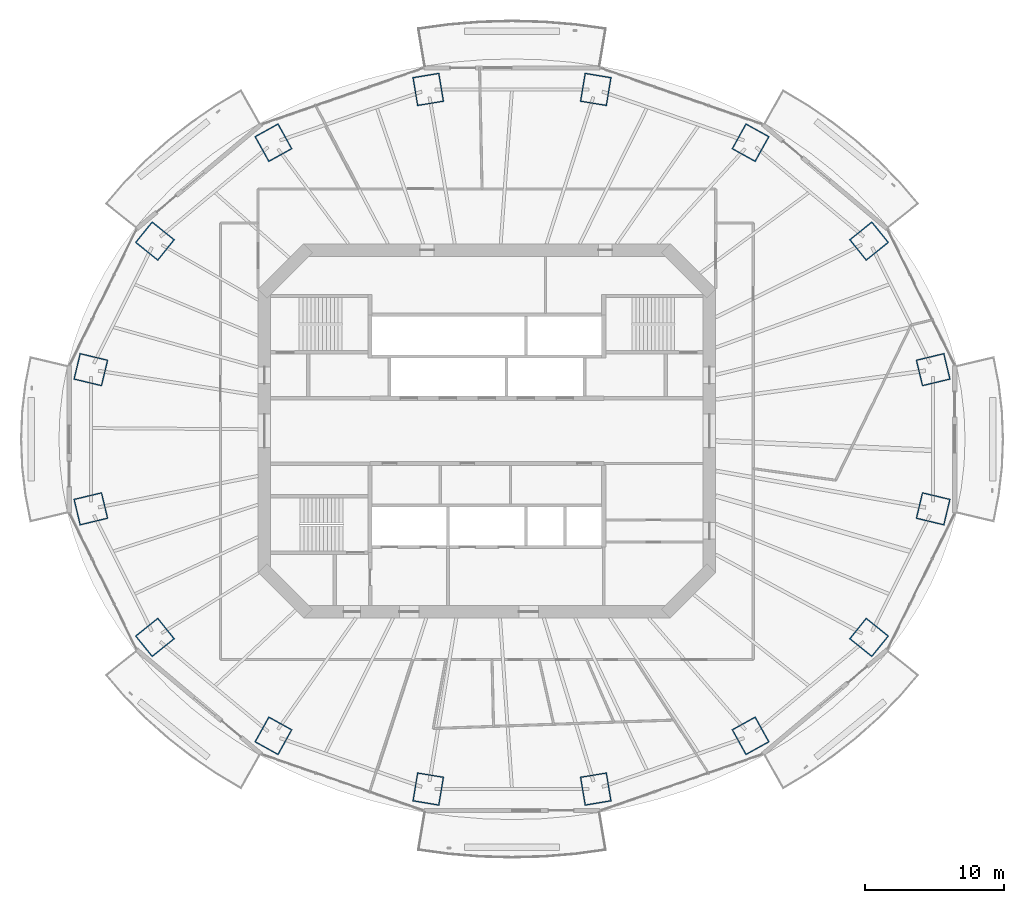
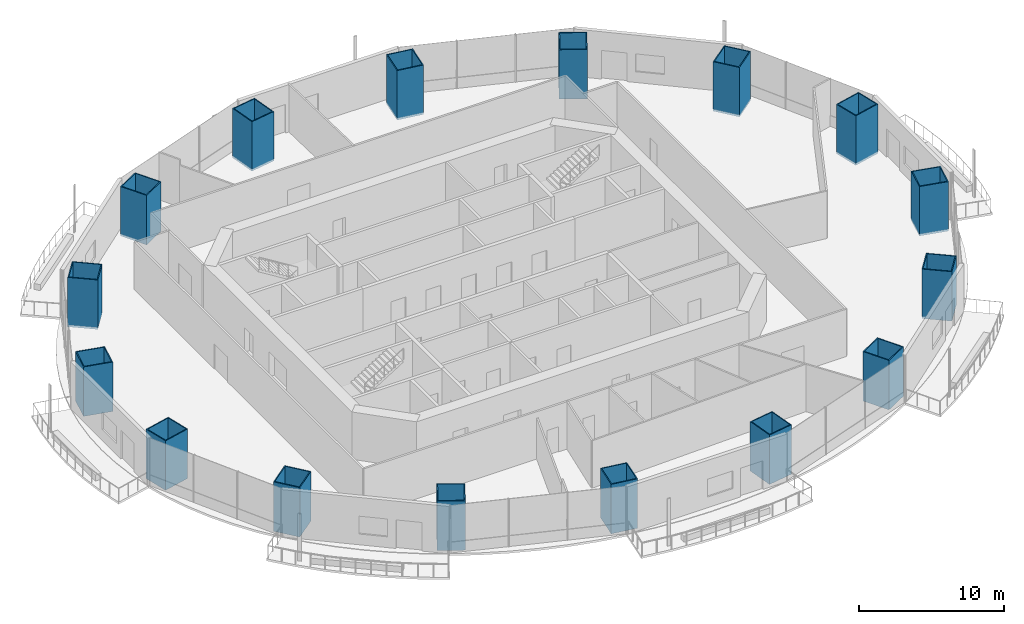
# One storey, part 1 of 20: 16 columns.
"""IFC4 building model written with IfcOpenShell, lengths in metres."""

from ifc_helpers import new_model, si_unit, direction, frame, origin, origin_2d, place, context, subcontext, project, spatial, rectangle, hollow_rectangle, extrude, material, material_profile, profile_set, type_object, element, save


model = new_model("IFC4")

# Units and contexts
model_context = context("Model", 3, precision=1e-05, world=origin(), true_north=direction((0.0, 1.0)))
body_context = subcontext(model_context, "Body", "Model", "MODEL_VIEW")
ifc_project = project(units=[si_unit("LENGTHUNIT", "METRE"), si_unit("AREAUNIT", "SQUARE_METRE"), si_unit("VOLUMEUNIT", "CUBIC_METRE"), si_unit("PLANEANGLEUNIT", "RADIAN"), si_unit("MASSUNIT", "GRAM", prefix="KILO")], contexts=[model_context])

# Site, building, storey
site_placement = place(None, origin())
site = spatial("IfcSite", under=ifc_project, at=site_placement, CompositionType="ELEMENT")
building_placement = place(site_placement, origin())
building = spatial("IfcBuilding", under=site, at=building_placement, Name="Marenthal Gate Tower", CompositionType="ELEMENT")
storey_placement = place(building_placement, frame((0.0, 0.0, 173.5)))
storey = spatial("IfcBuildingStorey", under=building, at=storey_placement, Name="L37", CompositionType="ELEMENT", Elevation=173.5)

# Columns
ifc_material_1 = material(Name="Steel S460", Category="steel")
ifc_material_profile_1 = material_profile(ifc_material_1, hollow_rectangle(XDim=1.949951171875, YDim=2.10009765625, WallThickness=0.074951171875, at=origin_2d()), Name="CFT BOX 2100X1950X75")
ifc_material_2 = material(Name="Concrete 70 MPa", Category="concrete")
ifc_material_profile_2 = material_profile(ifc_material_2, rectangle(XDim=1.800048828125, YDim=1.949951171875, at=origin_2d()), Name="CFT BOX 2100X1950X75 INFILL")
ifc_profile_set = profile_set([ifc_material_profile_1, ifc_material_profile_2], Name="Steel S460 shell, Concrete 70 MPa infill")
column_type = type_object("IfcColumnType", Name="CFT BOX 2100X1950X75", PredefinedType="COLUMN", material=ifc_profile_set)
for number, where, z_axis, x_axis, name in (
    (1, (32.083740234375, 4.4033203125, -0.179931640625), (0.0, 0.0, 1.0), (0.232898858995, -0.9725009622, 0.0), "COL-L37-01"),
    (2, (27.473388671875, 13.648193359375, -0.179931640625), (0.0, 0.0, 1.0), (0.626814619642, -0.779168423772, 0.0), "COL-L37-02"),
    (3, (18.954345703125, 20.723876953125, -0.179931640625), (0.0, 0.0, 1.0), (0.874370823198, -0.485258347213, 0.0), "COL-L37-03"),
    (4, (7.82373046875, 24.55322265625, -0.179931640625), (0.0, 0.0, 1.0), (0.986625414828, -0.16300395951, 0.0), "COL-L37-04"),
    (5, (-4.223876953125, 24.55322265625, -0.179931640625), (0.0, 0.0, 1.0), (0.986625414828, 0.16300395951, 0.0), "COL-L37-05"),
    (6, (-15.354248046875, 20.723876953125, -0.179931640625), (0.0, 0.0, 1.0), (0.874370823198, 0.485258347213, 0.0), "COL-L37-06"),
    (7, (-23.873291015625, 13.648193359375, -0.179931640625), (0.0, 0.0, 1.0), (0.626814619642, 0.779168423772, 0.0), "COL-L37-07"),
    (8, (-28.483642578125, 4.4033203125, -0.179931640625), (0.0, 0.0, 1.0), (0.232898858995, 0.9725009622, 0.0), "COL-L37-08"),
    (9, (-28.483642578125, -5.603271484375, -0.179931640625), (0.0, 0.0, 1.0), (-0.232898858995, 0.9725009622, 0.0), "COL-L37-09"),
    (10, (-23.873291015625, -14.84814453125, -0.179931640625), (0.0, 0.0, 1.0), (-0.626814619642, 0.779168423772, 0.0), "COL-L37-10"),
    (11, (-15.354248046875, -21.923828125, -0.179931640625), (0.0, 0.0, 1.0), (-0.874370823198, 0.485258347213, 0.0), "COL-L37-11"),
    (12, (-4.223876953125, -25.753173828125, -0.179931640625), (0.0, 0.0, 1.0), (-0.986625414828, 0.16300395951, 0.0), "COL-L37-12"),
    (13, (7.82373046875, -25.753173828125, -0.179931640625), (0.0, 0.0, 1.0), (-0.986625414828, -0.16300395951, 0.0), "COL-L37-13"),
    (14, (18.954345703125, -21.923828125, -0.179931640625), (0.0, 0.0, 1.0), (-0.874370823198, -0.485258347213, 0.0), "COL-L37-14"),
    (15, (27.473388671875, -14.84814453125, -0.179931640625), (0.0, 0.0, 1.0), (-0.626814619642, -0.779168423772, 0.0), "COL-L37-15"),
    (16, (32.083740234375, -5.603271484375, -0.179931640625), (0.0, 0.0, 1.0), (-0.232898858995, -0.9725009622, 0.0), "COL-L37-16"),
):
    element("IfcColumn", number, at=place(storey_placement, frame(where, z_axis=z_axis, x_axis=x_axis)), inside=storey, type_object=column_type, Name=name, PredefinedType="COLUMN", context=body_context, shape_type="SweptSolid", body=[
        extrude(hollow_rectangle(XDim=1.949951171875, YDim=2.10009765625, WallThickness=0.074951171875, at=origin_2d()), origin(), (0.0, 0.0, 1.0), 4.14990234375),
    ])

save(model, "model.ifc")
